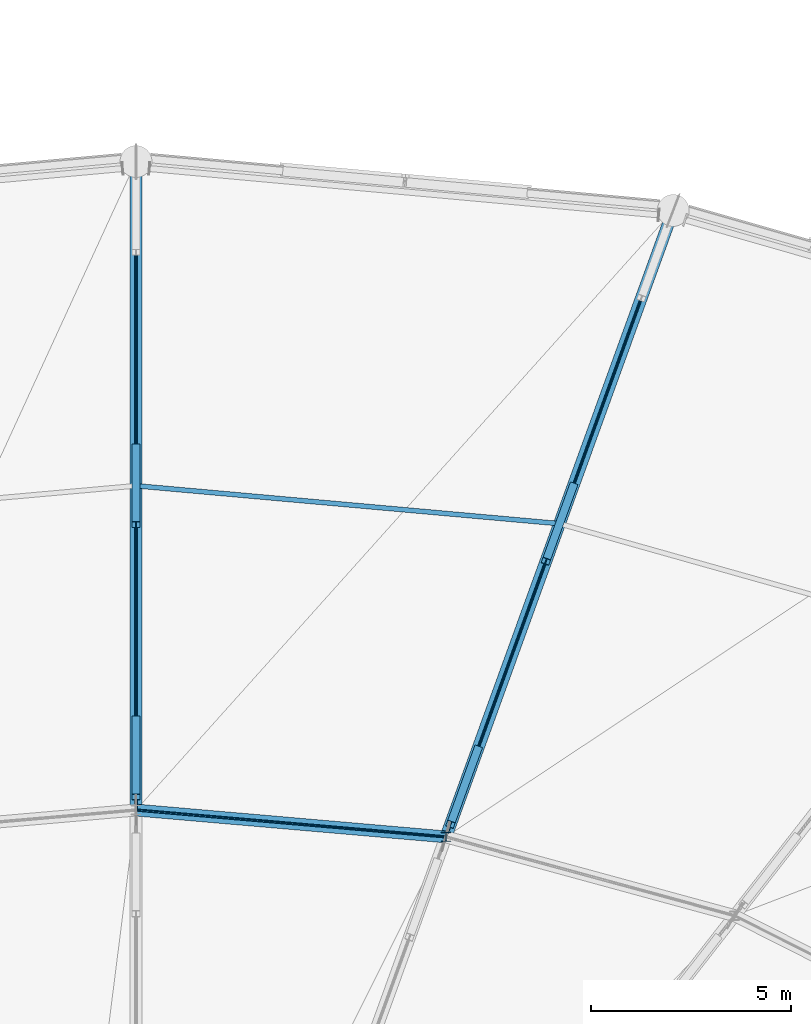
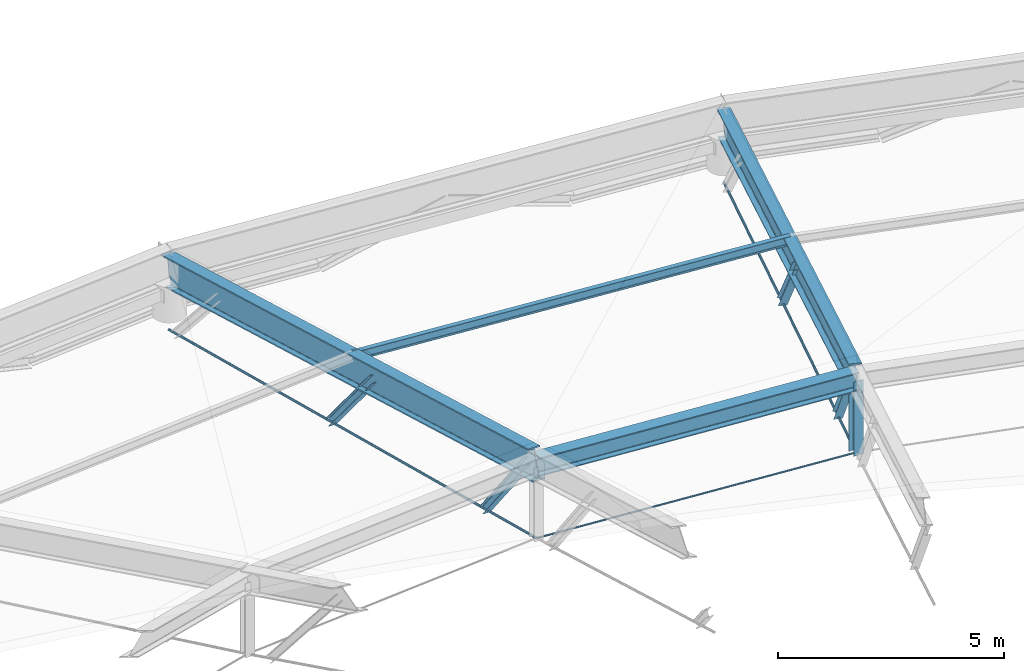
# One storey, part 21 of 83: 9 members, 3 beams.
"""IFC4 building model written with IfcOpenShell, lengths in metres."""

from ifc_helpers import new_model, si_unit, direction, frame, origin, origin_2d, place, context, subcontext, project, spatial, circle, i_section, extrude, material, material_profile, profile_set, type_object, element, save


model = new_model("IFC4")

# Units and contexts
model_context = context("Model", 3, precision=1e-05, world=origin(), true_north=direction((0.0, 1.0)))
body_context = subcontext(model_context, "Body", "Model", "MODEL_VIEW")
ifc_project = project(units=[si_unit("LENGTHUNIT", "METRE"), si_unit("AREAUNIT", "SQUARE_METRE"), si_unit("VOLUMEUNIT", "CUBIC_METRE"), si_unit("PLANEANGLEUNIT", "RADIAN"), si_unit("MASSUNIT", "GRAM", prefix="KILO")], contexts=[model_context])

# Site, building, storey
site_placement = place(None, origin())
site = spatial("IfcSite", under=ifc_project, at=site_placement, CompositionType="ELEMENT")
building_placement = place(site_placement, origin())
building = spatial("IfcBuilding", under=site, at=building_placement, Name="Kivolera Central Railway Station", CompositionType="ELEMENT")
storey_placement = place(building_placement, frame((0.0, 0.0, 14.39990234375)))
storey = spatial("IfcBuildingStorey", under=building, at=storey_placement, Name="L03", CompositionType="ELEMENT", Elevation=14.39990234375)

# Beams
ifc_material_1 = material(Name="Steel S355", Category="steel")
ifc_material_profile_1 = material_profile(ifc_material_1, i_section(OverallWidth=0.300048828125, OverallDepth=0.699951171875, WebThickness=0.01708984375, FlangeThickness=0.031982421875, FilletRadius=0.027099609375, at=origin_2d()), Name="HEB 700")
ifc_profile_set_1 = profile_set([ifc_material_profile_1], Name="Steel S355")
beam_type_1 = type_object("IfcBeamType", Name="BM-DRB-HEB700", PredefinedType="BEAM", material=ifc_profile_set_1)
beam_1_placement = place(storey_placement, frame((77.458984375, 124.77294921875, 1.18017578125), z_axis=(-0.328777498815, -0.906291393744, 0.265596057761), x_axis=(0.940053995171, -0.341025638571, 0.0)))
element("IfcBeam", 1, at=beam_1_placement, inside=storey, type_object=beam_type_1, Name="Oval Dome Radial Arch Rib Outer Segment DRB1-06", PredefinedType="BEAM", context=body_context, shape_type="SweptSolid", body=[
    extrude(i_section(OverallWidth=0.300048828125, OverallDepth=0.699951171875, WebThickness=0.01708984375, FlangeThickness=0.031982421875, FilletRadius=0.027099609375, at=origin_2d()), origin(), (0.0, 0.0, 1.0), 17.319091796875),
])
ifc_material_profile_2 = material_profile(ifc_material_1, i_section(OverallWidth=0.300048828125, OverallDepth=0.800048828125, WebThickness=0.017578125, FlangeThickness=0.032958984375, FilletRadius=0.030029296875, at=origin_2d()), Name="HEB 800")
ifc_profile_set_2 = profile_set([ifc_material_profile_2], Name="Steel S355")
beam_type_2 = type_object("IfcBeamType", Name="BM-DRB-HEB800", PredefinedType="BEAM", material=ifc_profile_set_2)
beam_2_placement = place(storey_placement, frame((64.0, 126.0, 1.18017578125), z_axis=(0.0, -0.962193680492, 0.272366152857), x_axis=(1.0, 0.0, 0.0)))
element("IfcBeam", 2, at=beam_2_placement, inside=storey, type_object=beam_type_2, Name="Oval Dome Radial Arch Rib Outer Segment DRB1-07", PredefinedType="BEAM", context=body_context, shape_type="SweptSolid", body=[
    extrude(i_section(OverallWidth=0.300048828125, OverallDepth=0.800048828125, WebThickness=0.017578125, FlangeThickness=0.032958984375, FilletRadius=0.030029296875, at=origin_2d()), origin(), (0.0, 0.0, 1.0), 16.888427734375),
])
ifc_material_profile_3 = material_profile(ifc_material_1, i_section(OverallWidth=0.300048828125, OverallDepth=0.5, WebThickness=0.014404296875, FlangeThickness=0.028076171875, FilletRadius=0.027099609375, at=origin_2d()), Name="HEB 500")
ifc_profile_set_3 = profile_set([ifc_material_profile_3], Name="Steel S355")
beam_type_3 = type_object("IfcBeamType", Name="BM-HRG-HEB500", PredefinedType="BEAM", material=ifc_profile_set_3)
beam_3_placement = place(storey_placement, frame((71.764892578125, 109.076904296875, 5.780029296875), z_axis=(-0.996263942133, 0.086360625325, 0.0), x_axis=(-0.086360625325, -0.996263942133, 0.0)))
element("IfcBeam", 3, at=beam_3_placement, inside=storey, type_object=beam_type_3, Name="Oval Dome Outer Hoop Ring Beam HRG1-06", PredefinedType="BEAM", context=body_context, shape_type="SweptSolid", body=[
    extrude(i_section(OverallWidth=0.300048828125, OverallDepth=0.5, WebThickness=0.014404296875, FlangeThickness=0.028076171875, FilletRadius=0.027099609375, at=origin_2d()), origin(), (0.0, 0.0, 1.0), 7.7939453125),
])

# Members
ifc_material_2 = material(Name="Spiral strand steel S460", Category="steel")
ifc_material_profile_4 = material_profile(ifc_material_2, circle(Radius=0.02392578125, at=origin_2d()), Name="CABLE D48")
ifc_profile_set_4 = profile_set([ifc_material_profile_4], Name="Spiral strand steel S460")
member_type_1 = type_object("IfcMemberType", Name="MEM-CABLE-D48", PredefinedType="USERDEFINED", material=ifc_profile_set_4)
member_1_placement = place(storey_placement, frame((71.764892578125, 109.076904296875, 3.780029296875), z_axis=(-0.996263942133, 0.086360625325, 0.0), x_axis=(-0.086360625325, -0.996263942133, 0.0)))
element("IfcMember", 4, at=member_1_placement, inside=storey, type_object=member_type_1, Name="Dome Hoop Tension Cable HC1-06", ObjectType="TENSION_CABLE", PredefinedType="USERDEFINED", context=body_context, shape_type="SweptSolid", body=[
    extrude(circle(Radius=0.02392578125, at=origin_2d()), origin(), (0.0, 0.0, 1.0), 7.7939453125),
])
ifc_material_profile_5 = material_profile(ifc_material_2, circle(Radius=0.031982421875, at=origin_2d()), Name="CABLE D64")
ifc_profile_set_5 = profile_set([ifc_material_profile_5], Name="Spiral strand steel S460")
member_type_2 = type_object("IfcMemberType", Name="MEM-CABLE-D64", PredefinedType="USERDEFINED", material=ifc_profile_set_5)
member_2_placement = place(storey_placement, frame((77.458984375, 124.77294921875, -0.449951171875), z_axis=(-0.330582165215, -0.9112660457, 0.245580182417), x_axis=(0.940053995171, -0.341025638571, 0.0)))
element("IfcMember", 5, at=member_2_placement, inside=storey, type_object=member_type_2, Name="Dome Radial Spiral-Strand Tension Cable RC1-06", ObjectType="TENSION_CABLE", PredefinedType="USERDEFINED", context=body_context, shape_type="SweptSolid", body=[
    extrude(circle(Radius=0.031982421875, at=origin_2d()), origin(), (0.0, 0.0, 1.0), 17.224365234375),
])
member_3_placement = place(storey_placement, frame((64.0, 126.0, -0.449951171875), z_axis=(0.0, -0.96775023237, 0.251911666557), x_axis=(1.0, 0.0, 0.0)))
element("IfcMember", 6, at=member_3_placement, inside=storey, type_object=member_type_2, Name="Dome Radial Spiral-Strand Tension Cable RC1-07", ObjectType="TENSION_CABLE", PredefinedType="USERDEFINED", context=body_context, shape_type="SweptSolid", body=[
    extrude(circle(Radius=0.031982421875, at=origin_2d()), origin(), (0.0, 0.0, 1.0), 16.79150390625),
])
ifc_material_profile_6 = material_profile(ifc_material_1, i_section(OverallWidth=0.1201171875, OverallDepth=0.239990234375, WebThickness=0.006103515625, FlangeThickness=0.009765625, FilletRadius=0.014892578125, at=origin_2d()), Name="IPE 240")
ifc_profile_set_6 = profile_set([ifc_material_profile_6], Name="Steel S355")
member_type_3 = type_object("IfcMemberType", Name="MEM-PUR-IPE240", PredefinedType="PURLIN", material=ifc_profile_set_6)
member_4_placement = place(storey_placement, frame((74.612060546875, 116.925048828125, 3.775146484375), z_axis=(-0.996017345617, 0.089159672667, 0.0), x_axis=(-0.089159672667, -0.996017345617, 0.0)))
element("IfcMember", 7, at=member_4_placement, inside=storey, type_object=member_type_3, Name="Dome Outer Hoop Purlin DPUR1-06", PredefinedType="PURLIN", context=body_context, shape_type="SweptSolid", body=[
    extrude(i_section(OverallWidth=0.1201171875, OverallDepth=0.239990234375, WebThickness=0.006103515625, FlangeThickness=0.009765625, FilletRadius=0.014892578125, at=origin_2d()), origin(), (0.0, 0.0, 1.0), 10.654541015625),
])
ifc_material_profile_7 = material_profile(ifc_material_1, i_section(OverallWidth=0.239990234375, OverallDepth=0.22998046875, WebThickness=0.007568359375, FlangeThickness=0.011962890625, FilletRadius=0.02099609375, at=origin_2d()), Name="HEA 240")
ifc_profile_set_7 = profile_set([ifc_material_profile_7], Name="Steel S355")
member_type_4 = type_object("IfcMemberType", Name="MEM-RAF-HEA240", PredefinedType="STRUT", material=ifc_profile_set_7)
member_5_placement = place(storey_placement, frame((71.764892578125, 109.076904296875, 3.780029296875), z_axis=(0.0, 0.0, 1.0), x_axis=(1.0, 0.0, 0.0)))
element("IfcMember", 8, at=member_5_placement, inside=storey, type_object=member_type_4, Name="Dome Ring Spreader Post DP1-06", PredefinedType="STRUT", context=body_context, shape_type="SweptSolid", body=[
    extrude(i_section(OverallWidth=0.239990234375, OverallDepth=0.22998046875, WebThickness=0.007568359375, FlangeThickness=0.011962890625, FilletRadius=0.02099609375, at=origin_2d()), origin(), (0.0, 0.0, 1.0), 2.0),
])
ifc_material_profile_8 = material_profile(ifc_material_1, i_section(OverallWidth=0.199951171875, OverallDepth=0.199951171875, WebThickness=0.009033203125, FlangeThickness=0.014892578125, FilletRadius=0.01806640625, at=origin_2d()), Name="HEB 200")
ifc_profile_set_8 = profile_set([ifc_material_profile_8], Name="Steel S355")
member_type_5 = type_object("IfcMemberType", Name="MEM-RAF-HEB200", PredefinedType="RAFTER", material=ifc_profile_set_8)
member_6_placement = place(storey_placement, frame((74.9541015625, 117.866943359375, 1.4111328125), z_axis=(-0.221753761886, -0.610732969476, 0.760151635586), x_axis=(0.939956905793, -0.341293151488, 0.0)))
element("IfcMember", 9, at=member_6_placement, inside=storey, type_object=member_type_5, Name="Dome Radial Truss Raking Web DWEB1-06.2", PredefinedType="RAFTER", context=body_context, shape_type="SweptSolid", body=[
    extrude(i_section(OverallWidth=0.199951171875, OverallDepth=0.199951171875, WebThickness=0.009033203125, FlangeThickness=0.014892578125, FilletRadius=0.01806640625, at=origin_2d()), origin(), (0.0, 0.0, 1.0), 3.0849609375),
])
member_7_placement = place(storey_placement, frame((72.56201171875, 111.27392578125, 3.18798828125), z_axis=(-0.213245503761, -0.587758872409, 0.780426718552), x_axis=(0.940042299079, -0.3410578777, 0.0)))
element("IfcMember", 10, at=member_7_placement, inside=storey, type_object=member_type_5, Name="Dome Radial Truss Raking Web DWEB1-06.3", PredefinedType="RAFTER", context=body_context, shape_type="SweptSolid", body=[
    extrude(i_section(OverallWidth=0.199951171875, OverallDepth=0.199951171875, WebThickness=0.009033203125, FlangeThickness=0.014892578125, FilletRadius=0.01806640625, at=origin_2d()), origin(), (0.0, 0.0, 1.0), 3.203369140625),
])
member_8_placement = place(storey_placement, frame((64.0, 118.85009765625, 1.4111328125), z_axis=(0.0, -0.639420350317, 0.768857344116), x_axis=(1.0, 0.0, 0.0)))
element("IfcMember", 11, at=member_8_placement, inside=storey, type_object=member_type_5, Name="Dome Radial Truss Raking Web DWEB1-07.2", PredefinedType="RAFTER", context=body_context, shape_type="SweptSolid", body=[
    extrude(i_section(OverallWidth=0.199951171875, OverallDepth=0.199951171875, WebThickness=0.009033203125, FlangeThickness=0.014892578125, FilletRadius=0.01806640625, at=origin_2d()), origin(), (0.0, 0.0, 1.0), 3.050048828125),
])
member_9_placement = place(storey_placement, frame((64.0, 112.02490234375, 3.18798828125), z_axis=(0.0, -0.615022223554, 0.788509774533), x_axis=(1.0, 0.0, 0.0)))
element("IfcMember", 12, at=member_9_placement, inside=storey, type_object=member_type_5, Name="Dome Radial Truss Raking Web DWEB1-07.3", PredefinedType="RAFTER", context=body_context, shape_type="SweptSolid", body=[
    extrude(i_section(OverallWidth=0.199951171875, OverallDepth=0.199951171875, WebThickness=0.009033203125, FlangeThickness=0.014892578125, FilletRadius=0.01806640625, at=origin_2d()), origin(), (0.0, 0.0, 1.0), 3.170654296875),
])

save(model, "model.ifc")
